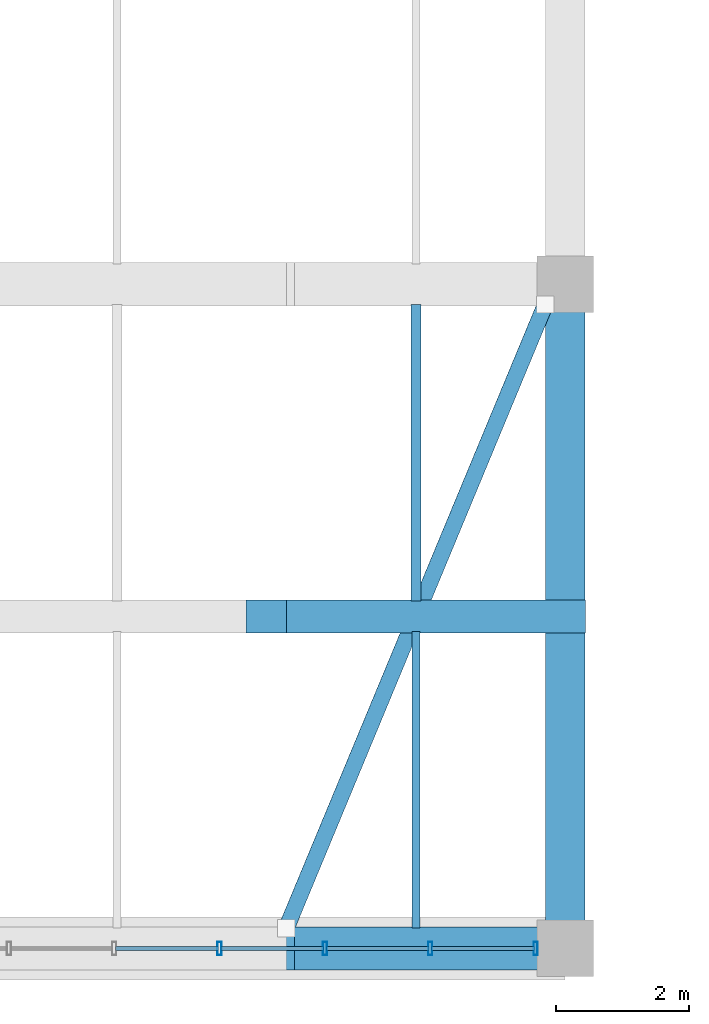
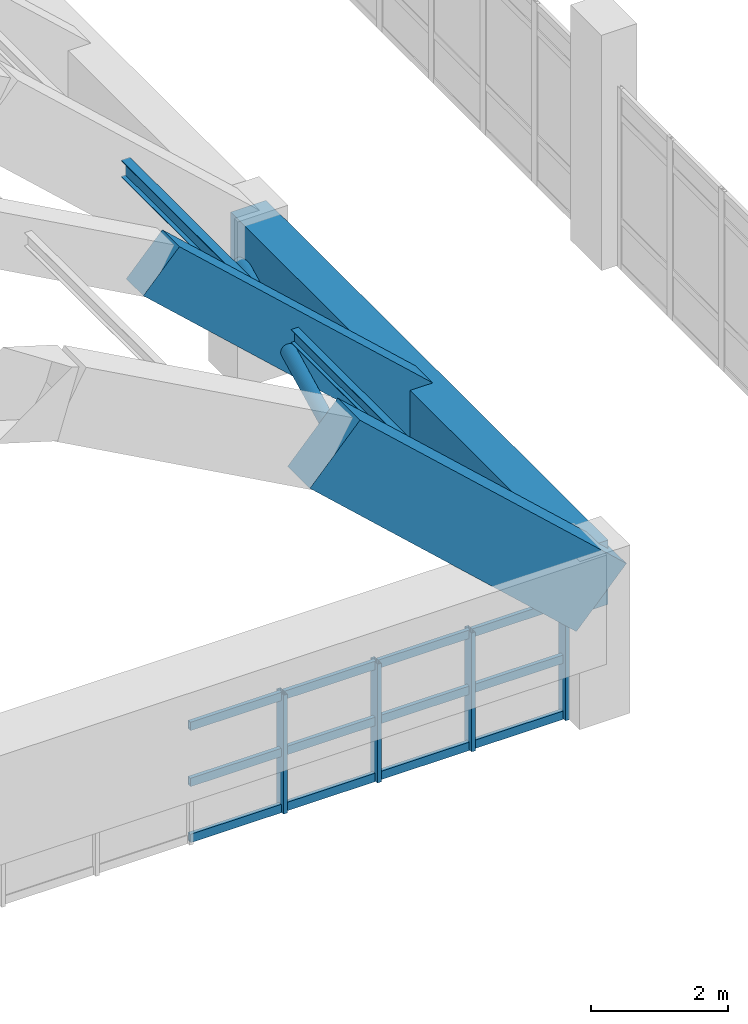
# One storey, part 69 of 111: 19 members, 3 beams, 1 element without a shape of its own.
"""IFC4 building model written with IfcOpenShell, lengths in metres."""

from ifc_helpers import new_model, si_unit, direction, frame, origin, origin_2d, place, context, subcontext, project, spatial, rectangle, hollow_rectangle, hollow_circle, i_section, extrude, material, layer, layer_set, material_profile, profile_set, type_object, element, aggregate, save


model = new_model("IFC4")

# Units and contexts
model_context = context("Model", 3, precision=1e-05, world=origin(), true_north=direction((0.0, 1.0)))
body_context = subcontext(model_context, "Body", "Model", "MODEL_VIEW")
ifc_project = project(units=[si_unit("LENGTHUNIT", "METRE"), si_unit("AREAUNIT", "SQUARE_METRE"), si_unit("VOLUMEUNIT", "CUBIC_METRE"), si_unit("PLANEANGLEUNIT", "RADIAN"), si_unit("MASSUNIT", "GRAM", prefix="KILO")], contexts=[model_context])

# Site, building, storey
site_placement = place(None, origin())
site = spatial("IfcSite", under=ifc_project, at=site_placement, CompositionType="ELEMENT")
building_placement = place(site_placement, origin())
building = spatial("IfcBuilding", under=site, at=building_placement, Name="Mersad Railyard Sports Hall", CompositionType="ELEMENT")
storey_placement = place(building_placement, frame((0.0, 0.0, 9.0)))
storey = spatial("IfcBuildingStorey", under=building, at=storey_placement, Name="L02", CompositionType="ELEMENT", Elevation=9.0)

# Curtain wall, members
ifc_material_1 = material(Name="Aluminium 6063-T6", Category="aluminium")
ifc_layer = layer(ifc_material_1, 0.199951171875)
ifc_layer_set = layer_set([ifc_layer], Name="Aluminium 6063-T6")
curtain_wall_type = type_object("IfcCurtainWallType", Name="ARC-CW-CW11", PredefinedType="USERDEFINED", material=ifc_layer_set)
curtain_wall_placement = place(storey_placement, origin())
curtain_wall = element("IfcCurtainWall", 1, at=curtain_wall_placement, inside=storey, type_object=curtain_wall_type, Name="Curtain wall CW11-0042", ObjectType="CURTAIN WALL", PredefinedType="USERDEFINED")
ifc_material_profile_1 = material_profile(ifc_material_1, hollow_rectangle(XDim=0.06494140625, YDim=0.199951171875, WallThickness=0.0048828125, at=origin_2d()), Name="AL MULLION 65x200x5")
ifc_profile_set_1 = profile_set([ifc_material_profile_1], Name="Aluminium 6063-T6")
member_type_1 = type_object("IfcMemberType", Name="ARC-CW-MUL02", PredefinedType="MULLION", material=ifc_profile_set_1)
member_1_placement = place(storey_placement, frame((172.554931640625, 3.5, -0.02001953125), z_axis=(0.0, 0.0, 1.0), x_axis=(1.0, 0.0, 0.0)))
member_1 = element("IfcMember", 2, at=member_1_placement, type_object=member_type_1, Name="CW11 Mullion 1", PredefinedType="MULLION", context=body_context, shape_type="SweptSolid", body=[
    extrude(hollow_rectangle(XDim=0.06494140625, YDim=0.199951171875, WallThickness=0.0048828125, at=origin_2d()), origin(), (0.0, 0.0, 1.0), 2.1201171875),
])
member_2_placement = place(storey_placement, frame((170.968505859375, 3.5, -0.02001953125), z_axis=(0.0, 0.0, 1.0), x_axis=(1.0, 0.0, 0.0)))
member_2 = element("IfcMember", 3, at=member_2_placement, type_object=member_type_1, Name="CW11 Mullion 2", PredefinedType="MULLION", context=body_context, shape_type="SweptSolid", body=[
    extrude(hollow_rectangle(XDim=0.06494140625, YDim=0.199951171875, WallThickness=0.0048828125, at=origin_2d()), origin(), (0.0, 0.0, 1.0), 2.1201171875),
])
member_3_placement = place(storey_placement, frame((169.382080078125, 3.5, -0.02001953125), z_axis=(0.0, 0.0, 1.0), x_axis=(1.0, 0.0, 0.0)))
member_3 = element("IfcMember", 4, at=member_3_placement, type_object=member_type_1, Name="CW11 Mullion 3", PredefinedType="MULLION", context=body_context, shape_type="SweptSolid", body=[
    extrude(hollow_rectangle(XDim=0.06494140625, YDim=0.199951171875, WallThickness=0.0048828125, at=origin_2d()), origin(), (0.0, 0.0, 1.0), 2.1201171875),
])
member_4_placement = place(storey_placement, frame((167.795654296875, 3.5, -0.02001953125), z_axis=(0.0, 0.0, 1.0), x_axis=(1.0, 0.0, 0.0)))
member_4 = element("IfcMember", 5, at=member_4_placement, type_object=member_type_1, Name="CW11 Mullion 4", PredefinedType="MULLION", context=body_context, shape_type="SweptSolid", body=[
    extrude(hollow_rectangle(XDim=0.06494140625, YDim=0.199951171875, WallThickness=0.0048828125, at=origin_2d()), origin(), (0.0, 0.0, 1.0), 2.1201171875),
])
ifc_material_profile_2 = material_profile(ifc_material_1, hollow_rectangle(XDim=0.06494140625, YDim=0.14990234375, WallThickness=0.00439453125, at=origin_2d()), Name="AL TRANSOM 65x150x4.5")
ifc_profile_set_2 = profile_set([ifc_material_profile_2], Name="Aluminium 6063-T6")
member_type_2 = type_object("IfcMemberType", Name="ARC-CW-TRN02", PredefinedType="USERDEFINED", material=ifc_profile_set_2)
member_5_placement = place(storey_placement, frame((172.534912109375, 3.5, 0.0400390625), z_axis=(-1.0, 0.0, 0.0), x_axis=(0.0, -1.0, 0.0)))
member_5 = element("IfcMember", 6, at=member_5_placement, type_object=member_type_2, Name="CW11 Transom 1-1", ObjectType="TRANSOM", PredefinedType="USERDEFINED", context=body_context, shape_type="SweptSolid", body=[
    extrude(hollow_rectangle(XDim=0.06494140625, YDim=0.14990234375, WallThickness=0.00439453125, at=origin_2d()), origin(), (0.0, 0.0, 1.0), 1.54638671875),
])
member_6_placement = place(storey_placement, frame((170.948486328125, 3.5, 0.0400390625), z_axis=(-1.0, 0.0, 0.0), x_axis=(0.0, -1.0, 0.0)))
member_6 = element("IfcMember", 7, at=member_6_placement, type_object=member_type_2, Name="CW11 Transom 1-2", ObjectType="TRANSOM", PredefinedType="USERDEFINED", context=body_context, shape_type="SweptSolid", body=[
    extrude(hollow_rectangle(XDim=0.06494140625, YDim=0.14990234375, WallThickness=0.00439453125, at=origin_2d()), origin(), (0.0, 0.0, 1.0), 1.54638671875),
])
member_7_placement = place(storey_placement, frame((169.362060546875, 3.5, 0.0400390625), z_axis=(-1.0, 0.0, 0.0), x_axis=(0.0, -1.0, 0.0)))
member_7 = element("IfcMember", 8, at=member_7_placement, type_object=member_type_2, Name="CW11 Transom 1-3", ObjectType="TRANSOM", PredefinedType="USERDEFINED", context=body_context, shape_type="SweptSolid", body=[
    extrude(hollow_rectangle(XDim=0.06494140625, YDim=0.14990234375, WallThickness=0.00439453125, at=origin_2d()), origin(), (0.0, 0.0, 1.0), 1.54638671875),
])
member_8_placement = place(storey_placement, frame((167.775634765625, 3.5, 0.0400390625), z_axis=(-1.0, 0.0, 0.0), x_axis=(0.0, -1.0, 0.0)))
member_8 = element("IfcMember", 9, at=member_8_placement, type_object=member_type_2, Name="CW11 Transom 1-4", ObjectType="TRANSOM", PredefinedType="USERDEFINED", context=body_context, shape_type="SweptSolid", body=[
    extrude(hollow_rectangle(XDim=0.06494140625, YDim=0.14990234375, WallThickness=0.00439453125, at=origin_2d()), origin(), (0.0, 0.0, 1.0), 1.54638671875),
])
member_9_placement = place(storey_placement, frame((172.534912109375, 3.5, 1.0400390625), z_axis=(-1.0, 0.0, 0.0), x_axis=(0.0, -1.0, 0.0)))
member_9 = element("IfcMember", 10, at=member_9_placement, type_object=member_type_2, Name="CW11 Transom 2-1", ObjectType="TRANSOM", PredefinedType="USERDEFINED", context=body_context, shape_type="SweptSolid", body=[
    extrude(hollow_rectangle(XDim=0.06494140625, YDim=0.14990234375, WallThickness=0.00439453125, at=origin_2d()), origin(), (0.0, 0.0, 1.0), 1.54638671875),
])
member_10_placement = place(storey_placement, frame((170.948486328125, 3.5, 1.0400390625), z_axis=(-1.0, 0.0, 0.0), x_axis=(0.0, -1.0, 0.0)))
member_10 = element("IfcMember", 11, at=member_10_placement, type_object=member_type_2, Name="CW11 Transom 2-2", ObjectType="TRANSOM", PredefinedType="USERDEFINED", context=body_context, shape_type="SweptSolid", body=[
    extrude(hollow_rectangle(XDim=0.06494140625, YDim=0.14990234375, WallThickness=0.00439453125, at=origin_2d()), origin(), (0.0, 0.0, 1.0), 1.54638671875),
])
member_11_placement = place(storey_placement, frame((169.362060546875, 3.5, 1.0400390625), z_axis=(-1.0, 0.0, 0.0), x_axis=(0.0, -1.0, 0.0)))
member_11 = element("IfcMember", 12, at=member_11_placement, type_object=member_type_2, Name="CW11 Transom 2-3", ObjectType="TRANSOM", PredefinedType="USERDEFINED", context=body_context, shape_type="SweptSolid", body=[
    extrude(hollow_rectangle(XDim=0.06494140625, YDim=0.14990234375, WallThickness=0.00439453125, at=origin_2d()), origin(), (0.0, 0.0, 1.0), 1.54638671875),
])
member_12_placement = place(storey_placement, frame((167.775634765625, 3.5, 1.0400390625), z_axis=(-1.0, 0.0, 0.0), x_axis=(0.0, -1.0, 0.0)))
member_12 = element("IfcMember", 13, at=member_12_placement, type_object=member_type_2, Name="CW11 Transom 2-4", ObjectType="TRANSOM", PredefinedType="USERDEFINED", context=body_context, shape_type="SweptSolid", body=[
    extrude(hollow_rectangle(XDim=0.06494140625, YDim=0.14990234375, WallThickness=0.00439453125, at=origin_2d()), origin(), (0.0, 0.0, 1.0), 1.54638671875),
])
member_13_placement = place(storey_placement, frame((172.534912109375, 3.5, 2.0400390625), z_axis=(-1.0, 0.0, 0.0), x_axis=(0.0, -1.0, 0.0)))
member_13 = element("IfcMember", 14, at=member_13_placement, type_object=member_type_2, Name="CW11 Transom 3-1", ObjectType="TRANSOM", PredefinedType="USERDEFINED", context=body_context, shape_type="SweptSolid", body=[
    extrude(hollow_rectangle(XDim=0.06494140625, YDim=0.14990234375, WallThickness=0.00439453125, at=origin_2d()), origin(), (0.0, 0.0, 1.0), 1.54638671875),
])
member_14_placement = place(storey_placement, frame((170.948486328125, 3.5, 2.0400390625), z_axis=(-1.0, 0.0, 0.0), x_axis=(0.0, -1.0, 0.0)))
member_14 = element("IfcMember", 15, at=member_14_placement, type_object=member_type_2, Name="CW11 Transom 3-2", ObjectType="TRANSOM", PredefinedType="USERDEFINED", context=body_context, shape_type="SweptSolid", body=[
    extrude(hollow_rectangle(XDim=0.06494140625, YDim=0.14990234375, WallThickness=0.00439453125, at=origin_2d()), origin(), (0.0, 0.0, 1.0), 1.54638671875),
])
member_15_placement = place(storey_placement, frame((169.362060546875, 3.5, 2.0400390625), z_axis=(-1.0, 0.0, 0.0), x_axis=(0.0, -1.0, 0.0)))
member_15 = element("IfcMember", 16, at=member_15_placement, type_object=member_type_2, Name="CW11 Transom 3-3", ObjectType="TRANSOM", PredefinedType="USERDEFINED", context=body_context, shape_type="SweptSolid", body=[
    extrude(hollow_rectangle(XDim=0.06494140625, YDim=0.14990234375, WallThickness=0.00439453125, at=origin_2d()), origin(), (0.0, 0.0, 1.0), 1.54638671875),
])
member_16_placement = place(storey_placement, frame((167.775634765625, 3.5, 2.0400390625), z_axis=(-1.0, 0.0, 0.0), x_axis=(0.0, -1.0, 0.0)))
member_16 = element("IfcMember", 17, at=member_16_placement, type_object=member_type_2, Name="CW11 Transom 3-4", ObjectType="TRANSOM", PredefinedType="USERDEFINED", context=body_context, shape_type="SweptSolid", body=[
    extrude(hollow_rectangle(XDim=0.06494140625, YDim=0.14990234375, WallThickness=0.00439453125, at=origin_2d()), origin(), (0.0, 0.0, 1.0), 1.54638671875),
])
aggregate(curtain_wall, [member_1, member_2, member_3, member_4, member_5, member_6, member_7, member_8, member_9, member_10, member_11, member_12, member_13, member_14, member_15, member_16])

# Beams
ifc_material_2 = material(Name="Concrete C50/60", Category="concrete")
ifc_material_profile_3 = material_profile(ifc_material_2, rectangle(XDim=0.60009765625, YDim=1.14990234375, at=origin_2d()), Name="RC 600x1150")
ifc_profile_set_3 = profile_set([ifc_material_profile_3], Name="Concrete C50/60")
beam_type_1 = type_object("IfcBeamType", Name="STR-BM-B05", PredefinedType="BEAM", material=ifc_profile_set_3)
beam_1_placement = place(storey_placement, frame((173.0, 3.5, 2.300048828125), z_axis=(0.0, 1.0, 0.0), x_axis=(-1.0, 0.0, 0.0)))
element("IfcBeam", 18, at=beam_1_placement, inside=storey, type_object=beam_type_1, Name="Beam B05-0706", PredefinedType="BEAM", context=body_context, shape_type="SweptSolid", body=[
    extrude(rectangle(XDim=0.60009765625, YDim=1.14990234375, at=origin_2d()), origin(), (0.0, 0.0, 1.0), 10.0),
])
ifc_material_3 = material(Name="Architectural concrete C50/60", Category="concrete")
ifc_material_profile_4 = material_profile(ifc_material_3, rectangle(XDim=0.64990234375, YDim=1.25, at=origin_2d()), Name="VR 650x1250")
ifc_profile_set_4 = profile_set([ifc_material_profile_4], Name="Architectural concrete C50/60")
beam_type_2 = type_object("IfcBeamType", Name="STR-BM-VR01", PredefinedType="BEAM", material=ifc_profile_set_4)
beam_2_placement = place(storey_placement, frame((168.5, 3.5, 6.2822265625), z_axis=(0.736556702909, 0.0, -0.676375800425), x_axis=(0.0, 1.0, 0.0)))
element("IfcBeam", 19, at=beam_2_placement, inside=storey, type_object=beam_type_2, Name="Beam VR01-0728", PredefinedType="BEAM", context=body_context, shape_type="SweptSolid", body=[
    extrude(rectangle(XDim=0.64990234375, YDim=1.25, at=origin_2d()), origin(), (0.0, 0.0, 1.0), 6.109619140625),
])
ifc_material_profile_5 = material_profile(ifc_material_3, rectangle(XDim=0.5, YDim=0.89990234375, at=origin_2d()), Name="VR 500x900")
ifc_profile_set_5 = profile_set([ifc_material_profile_5], Name="Architectural concrete C50/60")
beam_type_3 = type_object("IfcBeamType", Name="STR-BM-VR02", PredefinedType="BEAM", material=ifc_profile_set_5)
beam_3_placement = place(storey_placement, frame((168.5, 8.5, 6.47216796875), z_axis=(0.736576611143, 0.0, -0.676354120204), x_axis=(0.0, 1.0, 0.0)))
element("IfcBeam", 20, at=beam_3_placement, inside=storey, type_object=beam_type_3, Name="Beam VR02-0736", PredefinedType="BEAM", context=body_context, shape_type="SweptSolid", body=[
    extrude(rectangle(XDim=0.5, YDim=0.89990234375, at=origin_2d()), origin(), (0.0, 0.0, 1.0), 6.109375),
])

# Members
ifc_material_4 = material(Name="Steel S355", Category="steel")
ifc_material_profile_6 = material_profile(ifc_material_4, hollow_circle(Radius=0.122314453125, WallThickness=0.012451171875, at=origin_2d()), Name="CHS 244.5x12.5")
ifc_profile_set_6 = profile_set([ifc_material_profile_6], Name="Steel S355")
member_type_3 = type_object("IfcMemberType", Name="STR-MEM-BR01", PredefinedType="BRACE", material=ifc_profile_set_6)
member_17_placement = place(storey_placement, frame((168.800048828125, 3.804931640625, 6.252197265625), z_axis=(0.355333311329, 0.855567160406, -0.376487811083), x_axis=(-0.923518176545, 0.383554660499, 0.0)))
element("IfcMember", 21, at=member_17_placement, inside=storey, type_object=member_type_3, Name="Structural member BR01-0113", PredefinedType="BRACE", context=body_context, shape_type="SweptSolid", body=[
    extrude(hollow_circle(Radius=0.122314453125, WallThickness=0.012451171875, at=origin_2d()), origin(), (0.0, 0.0, 1.0), 10.975341796875),
])
ifc_material_profile_7 = material_profile(ifc_material_4, i_section(OverallWidth=0.1201171875, OverallDepth=0.239990234375, WebThickness=0.006103515625, FlangeThickness=0.009765625, at=origin_2d()), Name="IPE 240")
ifc_profile_set_7 = profile_set([ifc_material_profile_7], Name="Steel S355")
member_type_4 = type_object("IfcMemberType", Name="STR-MEM-PU01", PredefinedType="PURLIN", material=ifc_profile_set_7)
member_18_placement = place(storey_placement, frame((170.75, 3.804931640625, 4.546142578125), z_axis=(0.0, 1.0, 0.0), x_axis=(-1.0, 0.0, 0.0)))
element("IfcMember", 22, at=member_18_placement, inside=storey, type_object=member_type_4, Name="Structural member PU01-0108", PredefinedType="PURLIN", context=body_context, shape_type="SweptSolid", body=[
    extrude(i_section(OverallWidth=0.1201171875, OverallDepth=0.239990234375, WebThickness=0.006103515625, FlangeThickness=0.009765625, at=origin_2d()), origin(), (0.0, 0.0, 1.0), 4.465087890625),
])
ifc_material_profile_8 = material_profile(ifc_material_4, i_section(OverallWidth=0.14990234375, OverallDepth=0.300048828125, WebThickness=0.007080078125, FlangeThickness=0.0107421875, at=origin_2d()), Name="IPE 300")
ifc_profile_set_8 = profile_set([ifc_material_profile_8], Name="Steel S355")
member_type_5 = type_object("IfcMemberType", Name="STR-MEM-PU02", PredefinedType="PURLIN", material=ifc_profile_set_8)
member_19_placement = place(storey_placement, frame((170.75, 8.72998046875, 4.546142578125), z_axis=(0.0, 1.0, 0.0), x_axis=(-1.0, 0.0, 0.0)))
element("IfcMember", 23, at=member_19_placement, inside=storey, type_object=member_type_5, Name="Structural member PU02-0109", PredefinedType="PURLIN", context=body_context, shape_type="SweptSolid", body=[
    extrude(i_section(OverallWidth=0.14990234375, OverallDepth=0.300048828125, WebThickness=0.007080078125, FlangeThickness=0.0107421875, at=origin_2d()), origin(), (0.0, 0.0, 1.0), 4.465087890625),
])

save(model, "model.ifc")
